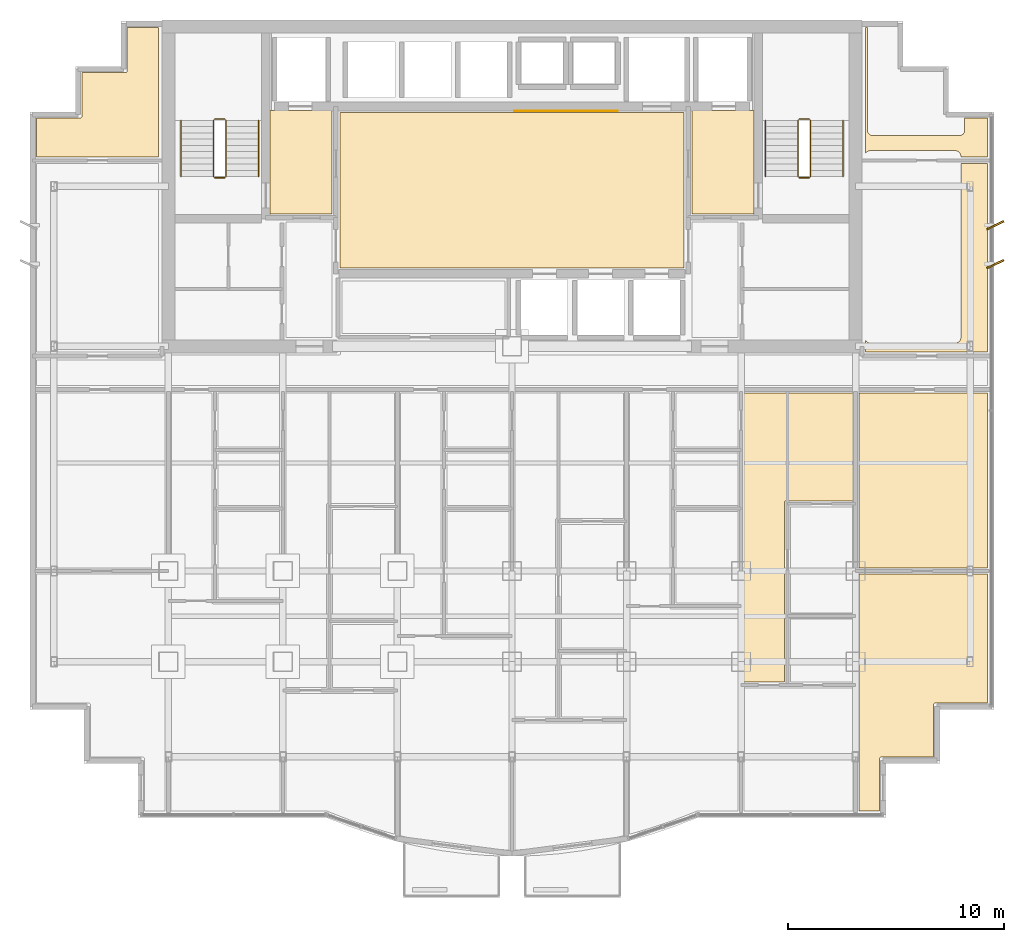
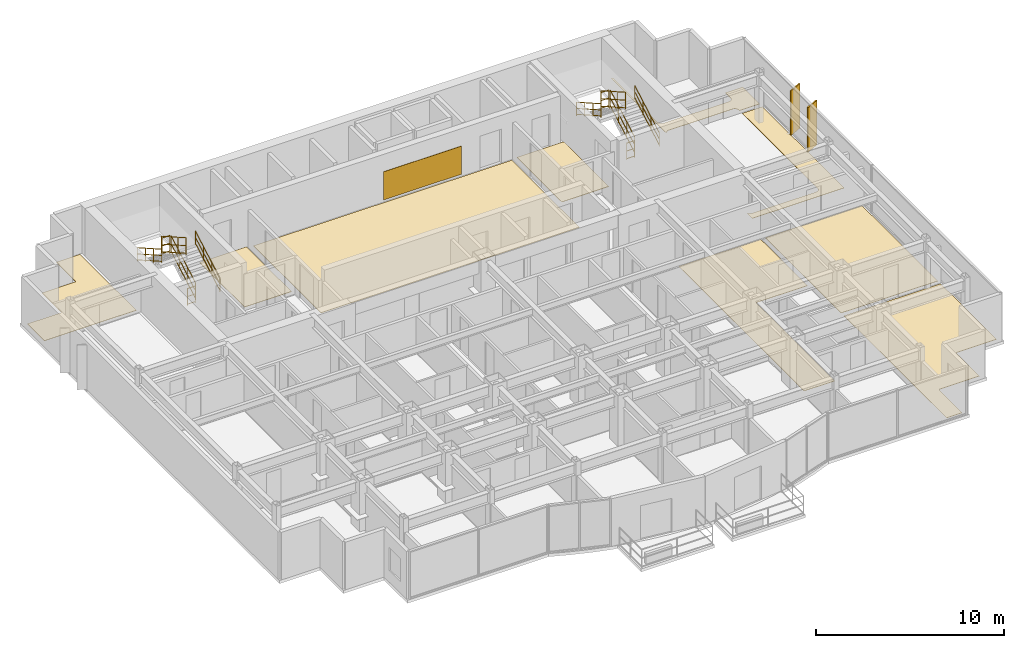
# One storey, part 13 of 13: 12 railings, 10 coverings, 2 shading devices.
"""IFC4 building model written with IfcOpenShell, lengths in metres."""

import ifcopenshell
import ifcopenshell.guid

model = None  # the IFC model being written
_history = None  # IfcOwnerHistory: only IFC2X3 demands one
_inside = {}  # id of a spatial element -> (the spatial element, [elements in it])
_under = {}  # id of a project, library or spatial element -> (it, [spatial elements below it])
_declared = {}  # id of a project -> (the project, [libraries it declares])
_typed = {}  # id of a type object -> (the type object, [elements of that type])
_made_of = {}  # id of a material, layer set ... -> (it, [elements and type objects made of it])


def new_model(schema):
    """Start an empty IFC model of exactly this schema.

    Asked for "IFC4X3", IfcOpenShell would pick the latest addendum, in which some entities
    have other attributes; the version numbers below select the first issue.
    IFC2X3 requires an IfcOwnerHistory on every rooted entity: one is made here for all.
    """
    global model, _history
    if schema == "IFC4X3":
        model = ifcopenshell.file(schema_version=(4, 3, 0, 0))
    else:
        model = ifcopenshell.file(schema=schema)
    _inside.clear()
    _under.clear()
    _declared.clear()
    _typed.clear()
    _made_of.clear()
    _history = None
    if model.schema == "IFC2X3":
        org = make("IfcOrganization", Name="unknown")
        user = make(
            "IfcPersonAndOrganization",
            ThePerson=make("IfcPerson", FamilyName="unknown"),
            TheOrganization=org,
        )
        app = make(
            "IfcApplication",
            ApplicationDeveloper=org,
            Version="unknown",
            ApplicationFullName="unknown",
            ApplicationIdentifier="unknown",
        )
        _history = make(
            "IfcOwnerHistory",
            OwningUser=user,
            OwningApplication=app,
            ChangeAction="ADDED",
            CreationDate=0,
        )
    return model


def make(cls, **values):
    """One entity of the class cls with the attributes given. An attribute that is None is left unset."""
    return model.create_entity(
        cls, **{name: value for name, value in values.items() if value is not None}
    )


def rooted(cls, **values):
    """An entity with a GlobalId (a new one), such as an element, a storey or a relation."""
    return make(cls, GlobalId=ifcopenshell.guid.new(), OwnerHistory=_history, **values)


def si_unit(unit_type, name, prefix=None):
    """IfcSIUnit, for example si_unit("LENGTHUNIT", "METRE", prefix="MILLI")."""
    return make("IfcSIUnit", UnitType=unit_type, Prefix=prefix, Name=name)


def assignment(units):
    """IfcUnitAssignment: the units of a project."""
    return None if units is None else make("IfcUnitAssignment", Units=units)


def point(xyz):
    """IfcCartesianPoint."""
    return None if xyz is None else make("IfcCartesianPoint", Coordinates=xyz)


def direction(xyz):
    """IfcDirection."""
    return None if xyz is None else make("IfcDirection", DirectionRatios=xyz)


def frame(location, z_axis=None, x_axis=None):
    """IfcAxis2Placement3D, a coordinate frame: its origin and axes. An axis left out is left unset."""
    return make(
        "IfcAxis2Placement3D",
        Location=point(location),
        Axis=direction(z_axis),
        RefDirection=direction(x_axis),
    )


def frame_2d(location, x_axis=None):
    """IfcAxis2Placement2D, a coordinate frame in the plane: its origin and x axis."""
    return make(
        "IfcAxis2Placement2D", Location=point(location), RefDirection=direction(x_axis)
    )


def origin():
    """The frame at (0, 0, 0) with its axes left unset."""
    return frame((0.0, 0.0, 0.0))


def origin_2d():
    """The frame at (0, 0) in the plane with its x axis left unset."""
    return frame_2d((0.0, 0.0))


def place(relative_to, where):
    """IfcLocalPlacement: puts the frame where relative to a parent placement (None: the world)."""
    return make(
        "IfcLocalPlacement", PlacementRelTo=relative_to, RelativePlacement=where
    )


def context(
    kind, dimensions, precision=None, world=None, true_north=None, identifier=None
):
    """IfcGeometricRepresentationContext, for example the 3D "Model" context."""
    return make(
        "IfcGeometricRepresentationContext",
        ContextIdentifier=identifier,
        ContextType=kind,
        CoordinateSpaceDimension=dimensions,
        Precision=precision,
        WorldCoordinateSystem=world,
        TrueNorth=true_north,
    )


def subcontext(parent, identifier, kind, view, scale=None):
    """IfcGeometricRepresentationSubContext, for example "Body" below "Model"."""
    return make(
        "IfcGeometricRepresentationSubContext",
        ContextIdentifier=identifier,
        ContextType=kind,
        ParentContext=parent,
        TargetScale=scale,
        TargetView=view,
    )


def project(units=None, contexts=None):
    """IfcProject with its units and contexts."""
    return rooted(
        "IfcProject",
        Name="project",
        RepresentationContexts=contexts,
        UnitsInContext=assignment(units),
    )


def spatial(cls, under=None, at=None, **own):
    """A site, building, storey or space (cls), placed at a placement, below another one or the project."""
    s = rooted(cls, ObjectPlacement=at, **own)
    if under is not None:
        _under.setdefault(under.id(), (under, []))[1].append(s)
    return s


def polyline(points):
    """IfcPolyline through the points."""
    return make("IfcPolyline", Points=[point(p) for p in points])


def profile(cls, at=None, kind="AREA", **sizes):
    """A parametric profile (cls). Its sizes go by their IFC names, for example OverallWidth=200.0."""
    return make(cls, ProfileType=kind, Position=at, **sizes)


def rectangle(**sizes):
    """IfcRectangleProfileDef."""
    return profile("IfcRectangleProfileDef", **sizes)


def circle(**sizes):
    """IfcCircleProfileDef."""
    return profile("IfcCircleProfileDef", **sizes)


def outline(outer, holes=None, kind="AREA"):
    """IfcArbitraryClosedProfileDef: a profile drawn as a closed curve; with holes, ...WithVoids."""
    if holes is None:
        return make("IfcArbitraryClosedProfileDef", ProfileType=kind, OuterCurve=outer)
    return make(
        "IfcArbitraryProfileDefWithVoids",
        ProfileType=kind,
        OuterCurve=outer,
        InnerCurves=holes,
    )


def extrude(swept, where, along, depth):
    """IfcExtrudedAreaSolid: the profile swept, set in the frame where, extruded along a direction by depth."""
    return make(
        "IfcExtrudedAreaSolid",
        SweptArea=swept,
        Position=where,
        ExtrudedDirection=direction(along),
        Depth=depth,
    )


def shape(context_of_items, identifier, shape_type, items):
    """IfcShapeRepresentation: the items that make up one representation, for example the "Body"."""
    return make(
        "IfcShapeRepresentation",
        ContextOfItems=context_of_items,
        RepresentationIdentifier=identifier,
        RepresentationType=shape_type,
        Items=items,
    )


def source(mapping_origin, context_of_items, identifier, shape_type, items):
    """IfcRepresentationMap: a shape defined once, which mapped items show again and again."""
    return make(
        "IfcRepresentationMap",
        MappingOrigin=mapping_origin,
        MappedRepresentation=shape(context_of_items, identifier, shape_type, items),
    )


def transform(
    local_origin,
    x_axis=None,
    y_axis=None,
    z_axis=None,
    scale=None,
    scale2=None,
    scale3=None,
    uniform=True,
):
    """IfcCartesianTransformationOperator3D, or its non-uniform kind. x_axis, y_axis, z_axis: its Axis1, 2, 3."""
    if uniform:
        return make(
            "IfcCartesianTransformationOperator3D",
            Axis1=direction(x_axis),
            Axis2=direction(y_axis),
            LocalOrigin=point(local_origin),
            Scale=scale,
            Axis3=direction(z_axis),
        )
    return make(
        "IfcCartesianTransformationOperator3DnonUniform",
        Axis1=direction(x_axis),
        Axis2=direction(y_axis),
        LocalOrigin=point(local_origin),
        Scale=scale,
        Axis3=direction(z_axis),
        Scale2=scale2,
        Scale3=scale3,
    )


def mapped(mapping_source, mapping_target):
    """IfcMappedItem: shows the shape of a source again, moved by a transform."""
    return make(
        "IfcMappedItem", MappingSource=mapping_source, MappingTarget=mapping_target
    )


def material(Name=None, Category=None):
    """IfcMaterial."""
    return make("IfcMaterial", Name=Name, Category=Category)


def layer(
    of_material, thickness, ventilated=None, Name=None, Category=None, Priority=None
):
    """IfcMaterialLayer: one layer of a wall or slab, of a material (None: an air gap)."""
    return make(
        "IfcMaterialLayer",
        Material=of_material,
        LayerThickness=thickness,
        IsVentilated=ventilated,
        Name=Name,
        Category=Category,
        Priority=Priority,
    )


def layer_set(layers, Name=None):
    """IfcMaterialLayerSet."""
    return make("IfcMaterialLayerSet", MaterialLayers=layers, LayerSetName=Name)


def made_of(thing, what):
    """Note that an element or type object is made of a material, layer set ...; save() writes the relation."""
    if what is not None:
        _made_of.setdefault(what.id(), (what, []))[1].append(thing)
    return thing


def type_object(cls, material=None, **own):
    """A type object (cls), such as IfcWallType, which elements share."""
    return made_of(rooted(cls, **own), material)


def element(
    cls,
    number,
    at=None,
    inside=None,
    cuts=None,
    type_object=None,
    material=None,
    context=None,
    identifier="Body",
    shape_type=None,
    held_by="IfcProductDefinitionShape",
    body=None,
    shapes=None,
    **own,
):
    """One element of the class cls, such as IfcWall. Its Tag is "e" and its number.

    at: its placement. inside: the storey or other place that contains it. cuts: it is an
    opening in that element (IfcRelVoidsElement). A single representation is given by context,
    identifier, shape_type and body (its items); several are given by shapes. held_by: the class
    of the entity that holds the representations. save() writes the other relations.
    """
    e = rooted(cls, Tag="e%d" % number, ObjectPlacement=at, **own)
    if body is not None:
        shapes = [shape(context, identifier, shape_type, body)]
    if shapes is not None:
        e.Representation = make(held_by, Representations=shapes)
    if inside is not None:
        _inside.setdefault(inside.id(), (inside, []))[1].append(e)
    if cuts is not None:
        rooted(
            "IfcRelVoidsElement", RelatingBuildingElement=cuts, RelatedOpeningElement=e
        )
    if type_object is not None:
        _typed.setdefault(type_object.id(), (type_object, []))[1].append(e)
    return made_of(e, material)


def aggregate(whole, parts):
    """IfcRelAggregates: a whole, such as a stair, and the parts it consists of."""
    return rooted("IfcRelAggregates", RelatingObject=whole, RelatedObjects=parts)


def save(model, path):
    """Write the relations noted so far, then the file.

    IfcRelAggregates (storeys below a building ...), IfcRelContainedInSpatialStructure (elements
    in a storey), IfcRelDefinesByType, IfcRelAssociatesMaterial and IfcRelDeclares: one each for
    every whole, place, type object, material and project.
    """
    for whole, parts in _under.values():
        aggregate(whole, parts)
    for where, things in _inside.values():
        rooted(
            "IfcRelContainedInSpatialStructure",
            RelatedElements=things,
            RelatingStructure=where,
        )
    for kind, things in _typed.values():
        rooted("IfcRelDefinesByType", RelatedObjects=things, RelatingType=kind)
    for what, things in _made_of.values():
        rooted("IfcRelAssociatesMaterial", RelatedObjects=things, RelatingMaterial=what)
    for by, libraries in _declared.values():
        rooted("IfcRelDeclares", RelatingContext=by, RelatedDefinitions=libraries)
    model.write(path)


model = new_model("IFC4")

# Units and contexts
model_context = context("Model", 3, precision=1e-05, world=origin(), true_north=direction((0.0, 1.0)))
body_context = subcontext(model_context, "Body", "Model", "MODEL_VIEW")
ifc_project = project(units=[si_unit("LENGTHUNIT", "METRE"), si_unit("AREAUNIT", "SQUARE_METRE"), si_unit("VOLUMEUNIT", "CUBIC_METRE"), si_unit("PLANEANGLEUNIT", "RADIAN"), si_unit("MASSUNIT", "GRAM", prefix="KILO")], contexts=[model_context])

# Site, building, storey
site_placement = place(None, origin())
site = spatial("IfcSite", under=ifc_project, at=site_placement, CompositionType="ELEMENT")
building_placement = place(site_placement, origin())
building = spatial("IfcBuilding", under=site, at=building_placement, Name="Qianlan Lanfeng Residences", CompositionType="ELEMENT")
storey_placement = place(building_placement, frame((0.0, 0.0, 162.300048828125)))
storey = spatial("IfcBuildingStorey", under=building, at=storey_placement, Name="L44", CompositionType="ELEMENT", Elevation=162.300048828125)

# Coverings
ifc_material_1 = material(Name="Anodised Bronze Feature Wall Cladding")
ifc_layer_1 = layer(ifc_material_1, 0.02490234375)
ifc_layer_set_1 = layer_set([ifc_layer_1], Name="Anodised Bronze Feature Wall Cladding")
covering_type_1 = type_object("IfcCoveringType", Name="CLD-BRZ-25", PredefinedType="CLADDING", material=ifc_layer_set_1)
covering_1_placement = place(storey_placement, frame((0.0, 0.0, 0.14990234375)))
element("IfcCovering", 1, at=covering_1_placement, inside=storey, type_object=covering_type_1, Name="L44 Lift Lobby Bronze Feature Cladding", PredefinedType="CLADDING", context=body_context, shape_type="SweptSolid", body=[
    extrude(outline(polyline([(26.60009765625, 36.074951171875), (31.39990234375, 36.074951171875), (31.39990234375, 36.10009765625), (26.60009765625, 36.10009765625), (26.60009765625, 36.074951171875)])), origin(), (0.0, 0.0, 1.0), 1.830078125),
])
ifc_material_2 = material(Name="Honed Taitung Granite Stone Flooring", Category="masonry")
ifc_layer_2 = layer(ifc_material_2, 0.030029296875)
ifc_layer_set_2 = layer_set([ifc_layer_2], Name="Honed Taitung Granite Stone Flooring")
covering_type_2 = type_object("IfcCoveringType", Name="FLR-STN-30", PredefinedType="FLOORING", material=ifc_layer_set_2)
covering_2_placement = place(storey_placement, origin())
element("IfcCovering", 2, at=covering_2_placement, inside=storey, type_object=covering_type_2, Name="L44 Firefighting Lift Lobby Floor Finish", PredefinedType="FLOORING", context=body_context, shape_type="SweptSolid", body=[
    extrude(outline(polyline([(15.2900390625, 31.320068359375), (18.179931640625, 31.320068359375), (18.179931640625, 36.110107421875), (15.2900390625, 36.110107421875), (15.2900390625, 31.320068359375)])), origin(), (0.0, 0.0, 1.0), 0.030029296875),
])
covering_3_placement = place(storey_placement, origin())
element("IfcCovering", 3, at=covering_3_placement, inside=storey, type_object=covering_type_2, Name="L44 Firefighting Lift Lobby Floor Finish", PredefinedType="FLOORING", context=body_context, shape_type="SweptSolid", body=[
    extrude(outline(polyline([(34.820068359375, 31.320068359375), (37.7099609375, 31.320068359375), (37.7099609375, 36.110107421875), (34.820068359375, 36.110107421875), (34.820068359375, 31.320068359375)])), origin(), (0.0, 0.0, 1.0), 0.030029296875),
])
covering_4_placement = place(storey_placement, origin())
element("IfcCovering", 4, at=covering_4_placement, inside=storey, type_object=covering_type_2, Name="L44 Lift Lobby Floor Finish", PredefinedType="FLOORING", context=body_context, shape_type="SweptSolid", body=[
    extrude(outline(polyline([(18.550048828125, 28.820068359375), (34.449951171875, 28.820068359375), (34.449951171875, 36.010009765625), (18.550048828125, 36.010009765625), (18.550048828125, 28.820068359375)])), origin(), (0.0, 0.0, 1.0), 0.030029296875),
])
ifc_material_3 = material(Name="Engineered Smoked Oak Timber Flooring", Category="wood")
ifc_layer_3 = layer(ifc_material_3, 0.02197265625)
ifc_layer_set_3 = layer_set([ifc_layer_3], Name="Engineered Smoked Oak Timber Flooring")
covering_type_3 = type_object("IfcCoveringType", Name="FLR-TIM-22", PredefinedType="FLOORING", material=ifc_layer_set_3)
covering_5_placement = place(storey_placement, origin())
element("IfcCovering", 5, at=covering_5_placement, inside=storey, type_object=covering_type_3, Name="L44 Villa Family Sitting Room Floor Finish", PredefinedType="FLOORING", context=body_context, shape_type="SweptSolid", body=[
    extrude(outline(polyline([(37.22998046875, 9.659912109375), (39.110107421875, 9.659912109375), (39.110107421875, 17.97998046875), (39.110107421875, 17.987060546875), (39.111083984375, 17.993896484375), (39.113037109375, 18.0), (39.114990234375, 18.007080078125), (39.117919921875, 18.012939453125), (39.1220703125, 18.01904296875), (39.1259765625, 18.02392578125), (39.131103515625, 18.029052734375), (39.135986328125, 18.033935546875), (39.14111328125, 18.0380859375), (39.14697265625, 18.0419921875), (39.153076171875, 18.044921875), (39.159912109375, 18.047119140625), (39.166015625, 18.049072265625), (39.173095703125, 18.050048828125), (39.179931640625, 18.050048828125), (42.27001953125, 18.050048828125), (42.27001953125, 23.030029296875), (37.22998046875, 23.030029296875), (37.22998046875, 9.659912109375)])), origin(), (0.0, 0.0, 1.0), 0.02197265625),
])
covering_6_placement = place(storey_placement, origin())
element("IfcCovering", 6, at=covering_6_placement, inside=storey, type_object=covering_type_3, Name="L44 Sunroom Floor Finish", PredefinedType="FLOORING", context=body_context, shape_type="SweptSolid", body=[
    extrude(outline(polyline([(48.510009765625, 14.64990234375), (42.56005859375, 14.64990234375), (42.56005859375, 3.68994140625), (43.510009765625, 3.68994140625), (43.510009765625, 6.1201171875), (43.510009765625, 6.126953125), (43.510986328125, 6.134033203125), (43.512939453125, 6.139892578125), (43.514892578125, 6.14697265625), (43.51806640625, 6.153076171875), (43.52197265625, 6.158935546875), (43.52587890625, 6.1640625), (43.531005859375, 6.1689453125), (43.535888671875, 6.174072265625), (43.541015625, 6.177978515625), (43.547119140625, 6.181884765625), (43.552978515625, 6.18505859375), (43.56005859375, 6.18701171875), (43.56591796875, 6.18896484375), (43.572998046875, 6.18994140625), (43.580078125, 6.18994140625), (46.010009765625, 6.18994140625), (46.010009765625, 8.6201171875), (46.010009765625, 8.626953125), (46.010986328125, 8.634033203125), (46.012939453125, 8.639892578125), (46.014892578125, 8.64697265625), (46.01806640625, 8.653076171875), (46.02197265625, 8.658935546875), (46.02587890625, 8.6640625), (46.031005859375, 8.6689453125), (46.035888671875, 8.674072265625), (46.041015625, 8.677978515625), (46.047119140625, 8.681884765625), (46.052978515625, 8.68505859375), (46.06005859375, 8.68701171875), (46.06591796875, 8.68896484375), (46.072998046875, 8.68994140625), (46.080078125, 8.68994140625), (48.510009765625, 8.68994140625), (48.510009765625, 14.64990234375)])), origin(), (0.0, 0.0, 1.0), 0.02197265625),
])
covering_7_placement = place(storey_placement, origin())
element("IfcCovering", 7, at=covering_7_placement, inside=storey, type_object=covering_type_3, Name="L44 Private Study Floor Finish", PredefinedType="FLOORING", context=body_context, shape_type="SweptSolid", body=[
    extrude(outline(polyline([(48.510009765625, 23.030029296875), (42.56005859375, 23.030029296875), (42.56005859375, 14.949951171875), (48.510009765625, 14.949951171875), (48.510009765625, 23.030029296875)])), origin(), (0.0, 0.0, 1.0), 0.02197265625),
])
covering_8_placement = place(storey_placement, origin())
element("IfcCovering", 8, at=covering_8_placement, inside=storey, type_object=covering_type_3, Name="L44 Resident Lounge Floor Finish", PredefinedType="FLOORING", context=body_context, shape_type="SweptSolid", body=[
    extrude(outline(polyline([(4.489990234375, 33.949951171875), (10.14990234375, 33.949951171875), (10.14990234375, 39.9599609375), (8.68994140625, 39.9599609375), (8.68994140625, 37.929931640625), (8.68994140625, 37.923095703125), (8.68896484375, 37.916015625), (8.68701171875, 37.909912109375), (8.68505859375, 37.903076171875), (8.681884765625, 37.89697265625), (8.677978515625, 37.89111328125), (8.674072265625, 37.885986328125), (8.6689453125, 37.881103515625), (8.6640625, 37.8759765625), (8.658935546875, 37.8720703125), (8.653076171875, 37.867919921875), (8.64697265625, 37.864990234375), (8.639892578125, 37.863037109375), (8.634033203125, 37.861083984375), (8.626953125, 37.860107421875), (8.6201171875, 37.860107421875), (6.590087890625, 37.860107421875), (6.590087890625, 35.830078125), (6.590087890625, 35.822998046875), (6.589111328125, 35.81591796875), (6.5869140625, 35.81005859375), (6.5849609375, 35.802978515625), (6.58203125, 35.797119140625), (6.577880859375, 35.791015625), (6.573974609375, 35.785888671875), (6.569091796875, 35.781005859375), (6.56396484375, 35.77587890625), (6.55908203125, 35.77197265625), (6.552978515625, 35.76806640625), (6.547119140625, 35.764892578125), (6.5400390625, 35.762939453125), (6.533935546875, 35.760986328125), (6.527099609375, 35.760009765625), (6.52001953125, 35.760009765625), (4.489990234375, 35.760009765625), (4.489990234375, 33.949951171875)])), origin(), (0.0, 0.0, 1.0), 0.02197265625),
])
covering_9_placement = place(storey_placement, origin())
element("IfcCovering", 9, at=covering_9_placement, inside=storey, type_object=covering_type_3, Name="L44 Gallery Salon Floor Finish", PredefinedType="FLOORING", context=body_context, shape_type="SweptSolid", body=[
    extrude(outline(polyline([(48.510009765625, 33.64990234375), (47.27001953125, 33.64990234375), (47.27001953125, 25.60009765625), (47.26904296875, 25.574951171875), (47.264892578125, 25.551025390625), (47.259033203125, 25.527099609375), (47.2509765625, 25.50390625), (47.239990234375, 25.48193359375), (47.22802734375, 25.4609375), (47.212890625, 25.44091796875), (47.197021484375, 25.423095703125), (47.178955078125, 25.406982421875), (47.158935546875, 25.39208984375), (47.137939453125, 25.3798828125), (47.115966796875, 25.368896484375), (47.093017578125, 25.361083984375), (47.069091796875, 25.35498046875), (47.044921875, 25.35107421875), (47.02001953125, 25.35009765625), (43.080078125, 25.35009765625), (43.054931640625, 25.35107421875), (43.031005859375, 25.35498046875), (43.007080078125, 25.361083984375), (42.98388671875, 25.368896484375), (42.9619140625, 25.3798828125), (42.94091796875, 25.39208984375), (42.9208984375, 25.406982421875), (42.903076171875, 25.423095703125), (42.886962890625, 25.44091796875), (42.8720703125, 25.4609375), (42.860107421875, 25.48193359375), (42.85009765625, 25.501953125), (42.85009765625, 24.929931640625), (48.510009765625, 24.929931640625), (48.510009765625, 33.64990234375)])), origin(), (0.0, 0.0, 1.0), 0.02197265625),
])
covering_10_placement = place(storey_placement, origin())
element("IfcCovering", 10, at=covering_10_placement, inside=storey, type_object=covering_type_3, Name="L44 Resident Lounge Floor Finish", PredefinedType="FLOORING", context=body_context, shape_type="SweptSolid", body=[
    extrude(outline(polyline([(42.85009765625, 34.097900390625), (42.860107421875, 34.117919921875), (42.8720703125, 34.138916015625), (42.886962890625, 34.158935546875), (42.903076171875, 34.177001953125), (42.9208984375, 34.193115234375), (42.94091796875, 34.2080078125), (42.9619140625, 34.219970703125), (42.98388671875, 34.23095703125), (43.007080078125, 34.239013671875), (43.031005859375, 34.2451171875), (43.054931640625, 34.2490234375), (43.080078125, 34.25), (47.02001953125, 34.25), (47.044921875, 34.2490234375), (47.069091796875, 34.2451171875), (47.093017578125, 34.239013671875), (47.115966796875, 34.23095703125), (47.137939453125, 34.219970703125), (47.158935546875, 34.2080078125), (47.178955078125, 34.193115234375), (47.197021484375, 34.177001953125), (47.212890625, 34.158935546875), (47.22802734375, 34.138916015625), (47.239990234375, 34.117919921875), (47.2509765625, 34.095947265625), (47.259033203125, 34.072998046875), (47.264892578125, 34.049072265625), (47.26904296875, 34.02490234375), (47.27001953125, 34.0), (47.27001953125, 33.949951171875), (48.510009765625, 33.949951171875), (48.510009765625, 35.760009765625), (47.449951171875, 35.760009765625), (47.449951171875, 35.199951171875), (47.448974609375, 35.175048828125), (47.445068359375, 35.15087890625), (47.43896484375, 35.126953125), (47.430908203125, 35.10400390625), (47.419921875, 35.08203125), (47.407958984375, 35.06103515625), (47.39306640625, 35.041015625), (47.376953125, 35.02294921875), (47.35888671875, 35.007080078125), (47.339111328125, 34.991943359375), (47.318115234375, 34.97998046875), (47.2958984375, 34.968994140625), (47.27294921875, 34.9609375), (47.2490234375, 34.955078125), (47.22509765625, 34.950927734375), (47.199951171875, 34.949951171875), (43.199951171875, 34.949951171875), (43.175048828125, 34.950927734375), (43.15087890625, 34.955078125), (43.126953125, 34.9609375), (43.10400390625, 34.968994140625), (43.08203125, 34.97998046875), (43.06103515625, 34.991943359375), (43.041015625, 35.007080078125), (43.02294921875, 35.02294921875), (43.007080078125, 35.041015625), (42.991943359375, 35.06103515625), (42.97998046875, 35.08203125), (42.968994140625, 35.10400390625), (42.9609375, 35.126953125), (42.955078125, 35.15087890625), (42.950927734375, 35.175048828125), (42.949951171875, 35.199951171875), (42.949951171875, 39.9599609375), (42.85009765625, 39.9599609375), (42.85009765625, 34.097900390625)])), origin(), (0.0, 0.0, 1.0), 0.02197265625),
])

# Railings
ifc_material_4 = material(Name="Painted Galvanised Steel Guardrail", Category="steel")
railing_type_1 = type_object("IfcRailingType", Name="GR-ST-1120", PredefinedType="GUARDRAIL", material=ifc_material_4)
railing_1_placement = place(storey_placement, frame((13.27001953125, 33.050048828125, 0.1650390625)))
element("IfcRailing", 11, at=railing_1_placement, inside=storey, type_object=railing_type_1, Name="L44 ST-1 stair guard 1", PredefinedType="GUARDRAIL", context=body_context, shape_type="SweptSolid", body=[
    extrude(circle(Radius=0.02392578125, at=origin_2d()), frame((0.0, 0.0, 0.083984375), z_axis=(0.0, 0.869172267526, 0.494509422927), x_axis=(-1.0, 0.0, 0.0)), (0.0, 0.0, 1.0), 3.002685546875),
    extrude(circle(Radius=0.02392578125, at=origin_2d()), frame((0.0, 0.0, 0.58251953125), z_axis=(0.0, 0.869172267526, 0.494509422927), x_axis=(-1.0, 0.0, 0.0)), (0.0, 0.0, 1.0), 3.002685546875),
    extrude(circle(Radius=0.02392578125, at=origin_2d()), frame((0.0, 0.0, 1.09619140625), z_axis=(0.0, 0.869172267526, 0.494509422927), x_axis=(-1.0, 0.0, 0.0)), (0.0, 0.0, 1.0), 3.002685546875),
    extrude(circle(Radius=0.02099609375, at=origin_2d()), origin(), (0.0, 0.0, 1.0), 1.072021484375),
    extrude(circle(Radius=0.02099609375, at=origin_2d()), frame((0.0, 0.869873046875, 0.494873046875)), (0.0, 0.0, 1.0), 1.072021484375),
    extrude(circle(Radius=0.02099609375, at=origin_2d()), frame((0.0, 1.739990234375, 0.989990234375)), (0.0, 0.0, 1.0), 1.072021484375),
    extrude(circle(Radius=0.02099609375, at=origin_2d()), frame((0.0, 2.60986328125, 1.48486328125)), (0.0, 0.0, 1.0), 1.072021484375),
])
railing_2_placement = place(storey_placement, frame((13.219970703125, 35.7099609375, 1.64990234375)))
element("IfcRailing", 12, at=railing_2_placement, inside=storey, type_object=railing_type_1, Name="L44 ST-1 stair guard 2", PredefinedType="GUARDRAIL", context=body_context, shape_type="SweptSolid", body=[
    extrude(circle(Radius=0.02392578125, at=origin_2d()), frame((0.0, 0.0, 0.083984375), z_axis=(-1.0, 0.0, 0.0), x_axis=(0.0, -1.0, 0.0)), (0.0, 0.0, 1.0), 0.47998046875),
    extrude(circle(Radius=0.02392578125, at=origin_2d()), frame((0.0, 0.0, 0.58251953125), z_axis=(-1.0, 0.0, 0.0), x_axis=(0.0, -1.0, 0.0)), (0.0, 0.0, 1.0), 0.47998046875),
    extrude(circle(Radius=0.02392578125, at=origin_2d()), frame((0.0, 0.0, 1.09619140625), z_axis=(-1.0, 0.0, 0.0), x_axis=(0.0, -1.0, 0.0)), (0.0, 0.0, 1.0), 0.47998046875),
    extrude(circle(Radius=0.02099609375, at=origin_2d()), origin(), (0.0, 0.0, 1.0), 1.072021484375),
    extrude(circle(Radius=0.02099609375, at=origin_2d()), frame((-0.47998046875, 0.0, 0.0)), (0.0, 0.0, 1.0), 1.072021484375),
])
railing_3_placement = place(storey_placement, frame((12.68994140625, 35.659912109375, 1.81494140625)))
element("IfcRailing", 13, at=railing_3_placement, inside=storey, type_object=railing_type_1, Name="L44 ST-1 stair guard 3", PredefinedType="GUARDRAIL", context=body_context, shape_type="SweptSolid", body=[
    extrude(circle(Radius=0.02392578125, at=origin_2d()), frame((0.0, 0.0, 0.083984375), z_axis=(0.0, -0.869137319866, 0.494570843475), x_axis=(1.0, 0.0, 0.0)), (0.0, 0.0, 1.0), 3.0029296875),
    extrude(circle(Radius=0.02392578125, at=origin_2d()), frame((0.0, 0.0, 0.58251953125), z_axis=(0.0, -0.869137319866, 0.494570843475), x_axis=(1.0, 0.0, 0.0)), (0.0, 0.0, 1.0), 3.0029296875),
    extrude(circle(Radius=0.02392578125, at=origin_2d()), frame((0.0, 0.0, 1.09619140625), z_axis=(0.0, -0.869137319866, 0.494570843475), x_axis=(1.0, 0.0, 0.0)), (0.0, 0.0, 1.0), 3.0029296875),
    extrude(circle(Radius=0.02099609375, at=origin_2d()), origin(), (0.0, 0.0, 1.0), 1.072021484375),
    extrude(circle(Radius=0.02099609375, at=origin_2d()), frame((0.0, -0.869873046875, 0.4951171875)), (0.0, 0.0, 1.0), 1.072021484375),
    extrude(circle(Radius=0.02099609375, at=origin_2d()), frame((0.0, -1.739990234375, 0.989990234375)), (0.0, 0.0, 1.0), 1.072021484375),
    extrude(circle(Radius=0.02099609375, at=origin_2d()), frame((0.0, -2.60986328125, 1.485107421875)), (0.0, 0.0, 1.0), 1.072021484375),
])
railing_4_placement = place(storey_placement, frame((13.219970703125, 33.0, 0.0)))
element("IfcRailing", 14, at=railing_4_placement, inside=storey, type_object=railing_type_1, Name="L44 ST-1 stair guard 4", PredefinedType="GUARDRAIL", context=body_context, shape_type="SweptSolid", body=[
    extrude(circle(Radius=0.02392578125, at=origin_2d()), frame((0.0, 0.0, 0.083984375), z_axis=(-1.0, 0.0, 0.0), x_axis=(0.0, -1.0, 0.0)), (0.0, 0.0, 1.0), 0.47998046875),
    extrude(circle(Radius=0.02392578125, at=origin_2d()), frame((0.0, 0.0, 0.58251953125), z_axis=(-1.0, 0.0, 0.0), x_axis=(0.0, -1.0, 0.0)), (0.0, 0.0, 1.0), 0.47998046875),
    extrude(circle(Radius=0.02392578125, at=origin_2d()), frame((0.0, 0.0, 1.09619140625), z_axis=(-1.0, 0.0, 0.0), x_axis=(0.0, -1.0, 0.0)), (0.0, 0.0, 1.0), 0.47998046875),
    extrude(circle(Radius=0.02099609375, at=origin_2d()), origin(), (0.0, 0.0, 1.0), 1.072021484375),
    extrude(circle(Radius=0.02099609375, at=origin_2d()), frame((-0.47998046875, 0.0, 0.0)), (0.0, 0.0, 1.0), 1.072021484375),
])
railing_5_placement = place(storey_placement, frame((40.31005859375, 33.050048828125, 0.1650390625)))
element("IfcRailing", 15, at=railing_5_placement, inside=storey, type_object=railing_type_1, Name="L44 ST-2 stair guard 1", PredefinedType="GUARDRAIL", context=body_context, shape_type="SweptSolid", body=[
    extrude(circle(Radius=0.02392578125, at=origin_2d()), frame((0.0, 0.0, 0.083984375), z_axis=(0.0, 0.869172267526, 0.494509422927), x_axis=(-1.0, 0.0, 0.0)), (0.0, 0.0, 1.0), 3.002685546875),
    extrude(circle(Radius=0.02392578125, at=origin_2d()), frame((0.0, 0.0, 0.58251953125), z_axis=(0.0, 0.869172267526, 0.494509422927), x_axis=(-1.0, 0.0, 0.0)), (0.0, 0.0, 1.0), 3.002685546875),
    extrude(circle(Radius=0.02392578125, at=origin_2d()), frame((0.0, 0.0, 1.09619140625), z_axis=(0.0, 0.869172267526, 0.494509422927), x_axis=(-1.0, 0.0, 0.0)), (0.0, 0.0, 1.0), 3.002685546875),
    extrude(circle(Radius=0.02099609375, at=origin_2d()), origin(), (0.0, 0.0, 1.0), 1.072021484375),
    extrude(circle(Radius=0.02099609375, at=origin_2d()), frame((0.0, 0.869873046875, 0.494873046875)), (0.0, 0.0, 1.0), 1.072021484375),
    extrude(circle(Radius=0.02099609375, at=origin_2d()), frame((0.0, 1.739990234375, 0.989990234375)), (0.0, 0.0, 1.0), 1.072021484375),
    extrude(circle(Radius=0.02099609375, at=origin_2d()), frame((0.0, 2.60986328125, 1.48486328125)), (0.0, 0.0, 1.0), 1.072021484375),
])
railing_6_placement = place(storey_placement, frame((40.260009765625, 35.7099609375, 1.64990234375)))
element("IfcRailing", 16, at=railing_6_placement, inside=storey, type_object=railing_type_1, Name="L44 ST-2 stair guard 2", PredefinedType="GUARDRAIL", context=body_context, shape_type="SweptSolid", body=[
    extrude(circle(Radius=0.02392578125, at=origin_2d()), frame((0.0, 0.0, 0.083984375), z_axis=(-1.0, 0.0, 0.0), x_axis=(0.0, -1.0, 0.0)), (0.0, 0.0, 1.0), 0.47998046875),
    extrude(circle(Radius=0.02392578125, at=origin_2d()), frame((0.0, 0.0, 0.58251953125), z_axis=(-1.0, 0.0, 0.0), x_axis=(0.0, -1.0, 0.0)), (0.0, 0.0, 1.0), 0.47998046875),
    extrude(circle(Radius=0.02392578125, at=origin_2d()), frame((0.0, 0.0, 1.09619140625), z_axis=(-1.0, 0.0, 0.0), x_axis=(0.0, -1.0, 0.0)), (0.0, 0.0, 1.0), 0.47998046875),
    extrude(circle(Radius=0.02099609375, at=origin_2d()), origin(), (0.0, 0.0, 1.0), 1.072021484375),
    extrude(circle(Radius=0.02099609375, at=origin_2d()), frame((-0.47998046875, 0.0, 0.0)), (0.0, 0.0, 1.0), 1.072021484375),
])
railing_7_placement = place(storey_placement, frame((39.72998046875, 35.659912109375, 1.81494140625)))
element("IfcRailing", 17, at=railing_7_placement, inside=storey, type_object=railing_type_1, Name="L44 ST-2 stair guard 3", PredefinedType="GUARDRAIL", context=body_context, shape_type="SweptSolid", body=[
    extrude(circle(Radius=0.02392578125, at=origin_2d()), frame((0.0, 0.0, 0.083984375), z_axis=(0.0, -0.869137319866, 0.494570843475), x_axis=(1.0, 0.0, 0.0)), (0.0, 0.0, 1.0), 3.0029296875),
    extrude(circle(Radius=0.02392578125, at=origin_2d()), frame((0.0, 0.0, 0.58251953125), z_axis=(0.0, -0.869137319866, 0.494570843475), x_axis=(1.0, 0.0, 0.0)), (0.0, 0.0, 1.0), 3.0029296875),
    extrude(circle(Radius=0.02392578125, at=origin_2d()), frame((0.0, 0.0, 1.09619140625), z_axis=(0.0, -0.869137319866, 0.494570843475), x_axis=(1.0, 0.0, 0.0)), (0.0, 0.0, 1.0), 3.0029296875),
    extrude(circle(Radius=0.02099609375, at=origin_2d()), origin(), (0.0, 0.0, 1.0), 1.072021484375),
    extrude(circle(Radius=0.02099609375, at=origin_2d()), frame((0.0, -0.869873046875, 0.4951171875)), (0.0, 0.0, 1.0), 1.072021484375),
    extrude(circle(Radius=0.02099609375, at=origin_2d()), frame((0.0, -1.739990234375, 0.989990234375)), (0.0, 0.0, 1.0), 1.072021484375),
    extrude(circle(Radius=0.02099609375, at=origin_2d()), frame((0.0, -2.60986328125, 1.485107421875)), (0.0, 0.0, 1.0), 1.072021484375),
])
railing_8_placement = place(storey_placement, frame((40.260009765625, 33.0, 0.0)))
element("IfcRailing", 18, at=railing_8_placement, inside=storey, type_object=railing_type_1, Name="L44 ST-2 stair guard 4", PredefinedType="GUARDRAIL", context=body_context, shape_type="SweptSolid", body=[
    extrude(circle(Radius=0.02392578125, at=origin_2d()), frame((0.0, 0.0, 0.083984375), z_axis=(-1.0, 0.0, 0.0), x_axis=(0.0, -1.0, 0.0)), (0.0, 0.0, 1.0), 0.47998046875),
    extrude(circle(Radius=0.02392578125, at=origin_2d()), frame((0.0, 0.0, 0.58251953125), z_axis=(-1.0, 0.0, 0.0), x_axis=(0.0, -1.0, 0.0)), (0.0, 0.0, 1.0), 0.47998046875),
    extrude(circle(Radius=0.02392578125, at=origin_2d()), frame((0.0, 0.0, 1.09619140625), z_axis=(-1.0, 0.0, 0.0), x_axis=(0.0, -1.0, 0.0)), (0.0, 0.0, 1.0), 0.47998046875),
    extrude(circle(Radius=0.02099609375, at=origin_2d()), origin(), (0.0, 0.0, 1.0), 1.072021484375),
    extrude(circle(Radius=0.02099609375, at=origin_2d()), frame((-0.47998046875, 0.0, 0.0)), (0.0, 0.0, 1.0), 1.072021484375),
])
ifc_material_5 = material(Name="Brushed Stainless Steel Handrail", Category="steel")
railing_type_2 = type_object("IfcRailingType", Name="HR-ST-920", PredefinedType="HANDRAIL", material=ifc_material_5)
railing_9_placement = place(storey_placement, frame((14.77001953125, 33.050048828125, 0.1650390625)))
element("IfcRailing", 19, at=railing_9_placement, inside=storey, type_object=railing_type_2, Name="L44 ST-1 stair handrail 1", PredefinedType="HANDRAIL", context=body_context, shape_type="SweptSolid", body=[
    extrude(circle(Radius=0.02392578125, at=origin_2d()), frame((0.0, 0.0, 0.083984375), z_axis=(0.0, 0.869172267526, 0.494509422927), x_axis=(-1.0, 0.0, 0.0)), (0.0, 0.0, 1.0), 3.002685546875),
    extrude(circle(Radius=0.02392578125, at=origin_2d()), frame((0.0, 0.0, 0.468017578125), z_axis=(0.0, 0.869172267526, 0.494509422927), x_axis=(-1.0, 0.0, 0.0)), (0.0, 0.0, 1.0), 3.002685546875),
    extrude(circle(Radius=0.02392578125, at=origin_2d()), frame((0.0, 0.0, 0.8759765625), z_axis=(0.0, 0.869172267526, 0.494509422927), x_axis=(-1.0, 0.0, 0.0)), (0.0, 0.0, 1.0), 3.002685546875),
    extrude(circle(Radius=0.02099609375, at=origin_2d()), origin(), (0.0, 0.0, 1.0), 0.851806640625),
    extrude(circle(Radius=0.02099609375, at=origin_2d()), frame((0.0, 0.869873046875, 0.494873046875)), (0.0, 0.0, 1.0), 0.851806640625),
    extrude(circle(Radius=0.02099609375, at=origin_2d()), frame((0.0, 1.739990234375, 0.989990234375)), (0.0, 0.0, 1.0), 0.851806640625),
    extrude(circle(Radius=0.02099609375, at=origin_2d()), frame((0.0, 2.60986328125, 1.48486328125)), (0.0, 0.0, 1.0), 0.851806640625),
])
railing_10_placement = place(storey_placement, frame((11.18994140625, 35.659912109375, 1.81494140625)))
element("IfcRailing", 20, at=railing_10_placement, inside=storey, type_object=railing_type_2, Name="L44 ST-1 stair handrail 2", PredefinedType="HANDRAIL", context=body_context, shape_type="SweptSolid", body=[
    extrude(circle(Radius=0.02392578125, at=origin_2d()), frame((0.0, 0.0, 0.083984375), z_axis=(0.0, -0.869137319866, 0.494570843475), x_axis=(1.0, 0.0, 0.0)), (0.0, 0.0, 1.0), 3.0029296875),
    extrude(circle(Radius=0.02392578125, at=origin_2d()), frame((0.0, 0.0, 0.468017578125), z_axis=(0.0, -0.869137319866, 0.494570843475), x_axis=(1.0, 0.0, 0.0)), (0.0, 0.0, 1.0), 3.0029296875),
    extrude(circle(Radius=0.02392578125, at=origin_2d()), frame((0.0, 0.0, 0.8759765625), z_axis=(0.0, -0.869137319866, 0.494570843475), x_axis=(1.0, 0.0, 0.0)), (0.0, 0.0, 1.0), 3.0029296875),
    extrude(circle(Radius=0.02099609375, at=origin_2d()), origin(), (0.0, 0.0, 1.0), 0.851806640625),
    extrude(circle(Radius=0.02099609375, at=origin_2d()), frame((0.0, -0.869873046875, 0.4951171875)), (0.0, 0.0, 1.0), 0.851806640625),
    extrude(circle(Radius=0.02099609375, at=origin_2d()), frame((0.0, -1.739990234375, 0.989990234375)), (0.0, 0.0, 1.0), 0.851806640625),
    extrude(circle(Radius=0.02099609375, at=origin_2d()), frame((0.0, -2.60986328125, 1.485107421875)), (0.0, 0.0, 1.0), 0.851806640625),
])
railing_11_placement = place(storey_placement, frame((41.81005859375, 33.050048828125, 0.1650390625)))
element("IfcRailing", 21, at=railing_11_placement, inside=storey, type_object=railing_type_2, Name="L44 ST-2 stair handrail 1", PredefinedType="HANDRAIL", context=body_context, shape_type="SweptSolid", body=[
    extrude(circle(Radius=0.02392578125, at=origin_2d()), frame((0.0, 0.0, 0.083984375), z_axis=(0.0, 0.869172267526, 0.494509422927), x_axis=(-1.0, 0.0, 0.0)), (0.0, 0.0, 1.0), 3.002685546875),
    extrude(circle(Radius=0.02392578125, at=origin_2d()), frame((0.0, 0.0, 0.468017578125), z_axis=(0.0, 0.869172267526, 0.494509422927), x_axis=(-1.0, 0.0, 0.0)), (0.0, 0.0, 1.0), 3.002685546875),
    extrude(circle(Radius=0.02392578125, at=origin_2d()), frame((0.0, 0.0, 0.8759765625), z_axis=(0.0, 0.869172267526, 0.494509422927), x_axis=(-1.0, 0.0, 0.0)), (0.0, 0.0, 1.0), 3.002685546875),
    extrude(circle(Radius=0.02099609375, at=origin_2d()), origin(), (0.0, 0.0, 1.0), 0.851806640625),
    extrude(circle(Radius=0.02099609375, at=origin_2d()), frame((0.0, 0.869873046875, 0.494873046875)), (0.0, 0.0, 1.0), 0.851806640625),
    extrude(circle(Radius=0.02099609375, at=origin_2d()), frame((0.0, 1.739990234375, 0.989990234375)), (0.0, 0.0, 1.0), 0.851806640625),
    extrude(circle(Radius=0.02099609375, at=origin_2d()), frame((0.0, 2.60986328125, 1.48486328125)), (0.0, 0.0, 1.0), 0.851806640625),
])
railing_12_placement = place(storey_placement, frame((38.22998046875, 35.659912109375, 1.81494140625)))
element("IfcRailing", 22, at=railing_12_placement, inside=storey, type_object=railing_type_2, Name="L44 ST-2 stair handrail 2", PredefinedType="HANDRAIL", context=body_context, shape_type="SweptSolid", body=[
    extrude(circle(Radius=0.02392578125, at=origin_2d()), frame((0.0, 0.0, 0.083984375), z_axis=(0.0, -0.869137319866, 0.494570843475), x_axis=(1.0, 0.0, 0.0)), (0.0, 0.0, 1.0), 3.0029296875),
    extrude(circle(Radius=0.02392578125, at=origin_2d()), frame((0.0, 0.0, 0.468017578125), z_axis=(0.0, -0.869137319866, 0.494570843475), x_axis=(1.0, 0.0, 0.0)), (0.0, 0.0, 1.0), 3.0029296875),
    extrude(circle(Radius=0.02392578125, at=origin_2d()), frame((0.0, 0.0, 0.8759765625), z_axis=(0.0, -0.869137319866, 0.494570843475), x_axis=(1.0, 0.0, 0.0)), (0.0, 0.0, 1.0), 3.0029296875),
    extrude(circle(Radius=0.02099609375, at=origin_2d()), origin(), (0.0, 0.0, 1.0), 0.851806640625),
    extrude(circle(Radius=0.02099609375, at=origin_2d()), frame((0.0, -0.869873046875, 0.4951171875)), (0.0, 0.0, 1.0), 0.851806640625),
    extrude(circle(Radius=0.02099609375, at=origin_2d()), frame((0.0, -1.739990234375, 0.989990234375)), (0.0, 0.0, 1.0), 0.851806640625),
    extrude(circle(Radius=0.02099609375, at=origin_2d()), frame((0.0, -2.60986328125, 1.485107421875)), (0.0, 0.0, 1.0), 0.851806640625),
])

# Shading devices
ifc_material_6 = material(Name="Anodised Bronze Aluminium Solar Fin", Category="aluminium")
shading_device_type = type_object("IfcShadingDeviceType", Name="FIN-BRZ-850", PredefinedType="SHUTTER", material=ifc_material_6)
shared_shape = source(origin(), body_context, "Body", "SweptSolid", [
    extrude(rectangle(XDim=0.85009765625, YDim=0.080078125, at=origin_2d()), origin(), (0.0, 0.0, 1.0), 2.89990234375),
])
for number, where, z_axis, x_axis, name in (
    (23, (48.8701171875, 29.0, 0.0), (0.0, 0.0, 1.0), (0.898794046299, 0.438371146789, 0.0), "L44 Raked Bronze Solar Fin E1"),
    (24, (48.8701171875, 30.800048828125, 0.0), (0.0, 0.0, 1.0), (0.898794046299, 0.438371146789, 0.0), "L44 Raked Bronze Solar Fin E2"),
):
    element("IfcShadingDevice", number, at=place(storey_placement, frame(where, z_axis=z_axis, x_axis=x_axis)), inside=storey, type_object=shading_device_type, Name=name, PredefinedType="SHUTTER", context=body_context, shape_type="MappedRepresentation", body=[
        mapped(shared_shape, transform((0.0, 0.0, 0.0), scale=1.0)),
    ])

save(model, "model.ifc")
